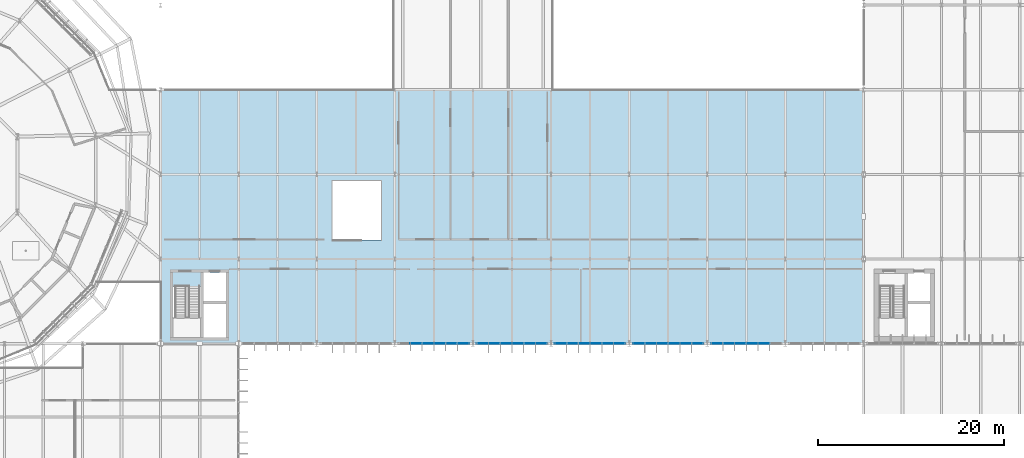
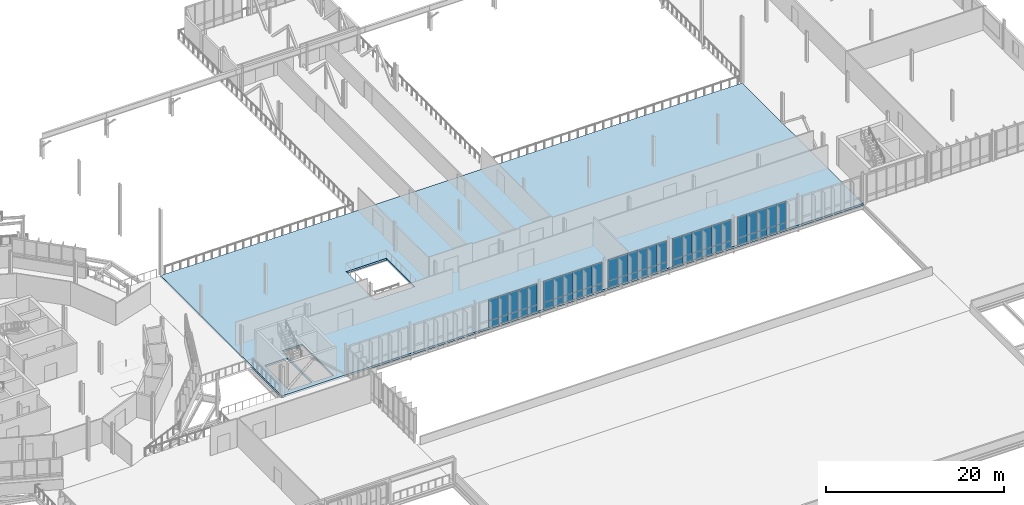
# One storey, part 76 of 107: 56 plates, 1 slab, 5 elements without a shape of their own.
"""IFC4 building model written with IfcOpenShell, lengths in metres."""

import ifcopenshell
import ifcopenshell.guid

model = None  # the IFC model being written
_history = None  # IfcOwnerHistory: only IFC2X3 demands one
_inside = {}  # id of a spatial element -> (the spatial element, [elements in it])
_under = {}  # id of a project, library or spatial element -> (it, [spatial elements below it])
_declared = {}  # id of a project -> (the project, [libraries it declares])
_typed = {}  # id of a type object -> (the type object, [elements of that type])
_made_of = {}  # id of a material, layer set ... -> (it, [elements and type objects made of it])


def new_model(schema):
    """Start an empty IFC model of exactly this schema.

    Asked for "IFC4X3", IfcOpenShell would pick the latest addendum, in which some entities
    have other attributes; the version numbers below select the first issue.
    IFC2X3 requires an IfcOwnerHistory on every rooted entity: one is made here for all.
    """
    global model, _history
    if schema == "IFC4X3":
        model = ifcopenshell.file(schema_version=(4, 3, 0, 0))
    else:
        model = ifcopenshell.file(schema=schema)
    _inside.clear()
    _under.clear()
    _declared.clear()
    _typed.clear()
    _made_of.clear()
    _history = None
    if model.schema == "IFC2X3":
        org = make("IfcOrganization", Name="unknown")
        user = make(
            "IfcPersonAndOrganization",
            ThePerson=make("IfcPerson", FamilyName="unknown"),
            TheOrganization=org,
        )
        app = make(
            "IfcApplication",
            ApplicationDeveloper=org,
            Version="unknown",
            ApplicationFullName="unknown",
            ApplicationIdentifier="unknown",
        )
        _history = make(
            "IfcOwnerHistory",
            OwningUser=user,
            OwningApplication=app,
            ChangeAction="ADDED",
            CreationDate=0,
        )
    return model


def make(cls, **values):
    """One entity of the class cls with the attributes given. An attribute that is None is left unset."""
    return model.create_entity(
        cls, **{name: value for name, value in values.items() if value is not None}
    )


def rooted(cls, **values):
    """An entity with a GlobalId (a new one), such as an element, a storey or a relation."""
    return make(cls, GlobalId=ifcopenshell.guid.new(), OwnerHistory=_history, **values)


def si_unit(unit_type, name, prefix=None):
    """IfcSIUnit, for example si_unit("LENGTHUNIT", "METRE", prefix="MILLI")."""
    return make("IfcSIUnit", UnitType=unit_type, Prefix=prefix, Name=name)


def derived_unit(unit_type, elements):
    """IfcDerivedUnit: a product of units, each with its exponent."""
    return make(
        "IfcDerivedUnit",
        Elements=[
            make("IfcDerivedUnitElement", Unit=unit, Exponent=power)
            for unit, power in elements
        ],
        UnitType=unit_type,
    )


def assignment(units):
    """IfcUnitAssignment: the units of a project."""
    return None if units is None else make("IfcUnitAssignment", Units=units)


def point(xyz):
    """IfcCartesianPoint."""
    return None if xyz is None else make("IfcCartesianPoint", Coordinates=xyz)


def direction(xyz):
    """IfcDirection."""
    return None if xyz is None else make("IfcDirection", DirectionRatios=xyz)


def frame(location, z_axis=None, x_axis=None):
    """IfcAxis2Placement3D, a coordinate frame: its origin and axes. An axis left out is left unset."""
    return make(
        "IfcAxis2Placement3D",
        Location=point(location),
        Axis=direction(z_axis),
        RefDirection=direction(x_axis),
    )


def frame_2d(location, x_axis=None):
    """IfcAxis2Placement2D, a coordinate frame in the plane: its origin and x axis."""
    return make(
        "IfcAxis2Placement2D", Location=point(location), RefDirection=direction(x_axis)
    )


def origin():
    """The frame at (0, 0, 0) with its axes left unset."""
    return frame((0.0, 0.0, 0.0))


def origin_2d():
    """The frame at (0, 0) in the plane with its x axis left unset."""
    return frame_2d((0.0, 0.0))


def place(relative_to, where):
    """IfcLocalPlacement: puts the frame where relative to a parent placement (None: the world)."""
    return make(
        "IfcLocalPlacement", PlacementRelTo=relative_to, RelativePlacement=where
    )


def context(
    kind, dimensions, precision=None, world=None, true_north=None, identifier=None
):
    """IfcGeometricRepresentationContext, for example the 3D "Model" context."""
    return make(
        "IfcGeometricRepresentationContext",
        ContextIdentifier=identifier,
        ContextType=kind,
        CoordinateSpaceDimension=dimensions,
        Precision=precision,
        WorldCoordinateSystem=world,
        TrueNorth=true_north,
    )


def subcontext(parent, identifier, kind, view, scale=None):
    """IfcGeometricRepresentationSubContext, for example "Body" below "Model"."""
    return make(
        "IfcGeometricRepresentationSubContext",
        ContextIdentifier=identifier,
        ContextType=kind,
        ParentContext=parent,
        TargetScale=scale,
        TargetView=view,
    )


def project(units=None, contexts=None):
    """IfcProject with its units and contexts."""
    return rooted(
        "IfcProject",
        Name="project",
        RepresentationContexts=contexts,
        UnitsInContext=assignment(units),
    )


def spatial(cls, under=None, at=None, **own):
    """A site, building, storey or space (cls), placed at a placement, below another one or the project."""
    s = rooted(cls, ObjectPlacement=at, **own)
    if under is not None:
        _under.setdefault(under.id(), (under, []))[1].append(s)
    return s


def polyline(points):
    """IfcPolyline through the points."""
    return make("IfcPolyline", Points=[point(p) for p in points])


def profile(cls, at=None, kind="AREA", **sizes):
    """A parametric profile (cls). Its sizes go by their IFC names, for example OverallWidth=200.0."""
    return make(cls, ProfileType=kind, Position=at, **sizes)


def rectangle(**sizes):
    """IfcRectangleProfileDef."""
    return profile("IfcRectangleProfileDef", **sizes)


def outline(outer, holes=None, kind="AREA"):
    """IfcArbitraryClosedProfileDef: a profile drawn as a closed curve; with holes, ...WithVoids."""
    if holes is None:
        return make("IfcArbitraryClosedProfileDef", ProfileType=kind, OuterCurve=outer)
    return make(
        "IfcArbitraryProfileDefWithVoids",
        ProfileType=kind,
        OuterCurve=outer,
        InnerCurves=holes,
    )


def extrude(swept, where, along, depth):
    """IfcExtrudedAreaSolid: the profile swept, set in the frame where, extruded along a direction by depth."""
    return make(
        "IfcExtrudedAreaSolid",
        SweptArea=swept,
        Position=where,
        ExtrudedDirection=direction(along),
        Depth=depth,
    )


def shape(context_of_items, identifier, shape_type, items):
    """IfcShapeRepresentation: the items that make up one representation, for example the "Body"."""
    return make(
        "IfcShapeRepresentation",
        ContextOfItems=context_of_items,
        RepresentationIdentifier=identifier,
        RepresentationType=shape_type,
        Items=items,
    )


def material(Name=None, Category=None):
    """IfcMaterial."""
    return make("IfcMaterial", Name=Name, Category=Category)


def layer(
    of_material, thickness, ventilated=None, Name=None, Category=None, Priority=None
):
    """IfcMaterialLayer: one layer of a wall or slab, of a material (None: an air gap)."""
    return make(
        "IfcMaterialLayer",
        Material=of_material,
        LayerThickness=thickness,
        IsVentilated=ventilated,
        Name=Name,
        Category=Category,
        Priority=Priority,
    )


def layer_set(layers, Name=None):
    """IfcMaterialLayerSet."""
    return make("IfcMaterialLayerSet", MaterialLayers=layers, LayerSetName=Name)


def made_of(thing, what):
    """Note that an element or type object is made of a material, layer set ...; save() writes the relation."""
    if what is not None:
        _made_of.setdefault(what.id(), (what, []))[1].append(thing)
    return thing


def type_object(cls, material=None, **own):
    """A type object (cls), such as IfcWallType, which elements share."""
    return made_of(rooted(cls, **own), material)


def element(
    cls,
    number,
    at=None,
    inside=None,
    cuts=None,
    type_object=None,
    material=None,
    context=None,
    identifier="Body",
    shape_type=None,
    held_by="IfcProductDefinitionShape",
    body=None,
    shapes=None,
    **own,
):
    """One element of the class cls, such as IfcWall. Its Tag is "e" and its number.

    at: its placement. inside: the storey or other place that contains it. cuts: it is an
    opening in that element (IfcRelVoidsElement). A single representation is given by context,
    identifier, shape_type and body (its items); several are given by shapes. held_by: the class
    of the entity that holds the representations. save() writes the other relations.
    """
    e = rooted(cls, Tag="e%d" % number, ObjectPlacement=at, **own)
    if body is not None:
        shapes = [shape(context, identifier, shape_type, body)]
    if shapes is not None:
        e.Representation = make(held_by, Representations=shapes)
    if inside is not None:
        _inside.setdefault(inside.id(), (inside, []))[1].append(e)
    if cuts is not None:
        rooted(
            "IfcRelVoidsElement", RelatingBuildingElement=cuts, RelatedOpeningElement=e
        )
    if type_object is not None:
        _typed.setdefault(type_object.id(), (type_object, []))[1].append(e)
    return made_of(e, material)


def aggregate(whole, parts):
    """IfcRelAggregates: a whole, such as a stair, and the parts it consists of."""
    return rooted("IfcRelAggregates", RelatingObject=whole, RelatedObjects=parts)


def save(model, path):
    """Write the relations noted so far, then the file.

    IfcRelAggregates (storeys below a building ...), IfcRelContainedInSpatialStructure (elements
    in a storey), IfcRelDefinesByType, IfcRelAssociatesMaterial and IfcRelDeclares: one each for
    every whole, place, type object, material and project.
    """
    for whole, parts in _under.values():
        aggregate(whole, parts)
    for where, things in _inside.values():
        rooted(
            "IfcRelContainedInSpatialStructure",
            RelatedElements=things,
            RelatingStructure=where,
        )
    for kind, things in _typed.values():
        rooted("IfcRelDefinesByType", RelatedObjects=things, RelatingType=kind)
    for what, things in _made_of.values():
        rooted("IfcRelAssociatesMaterial", RelatedObjects=things, RelatingMaterial=what)
    for by, libraries in _declared.values():
        rooted("IfcRelDeclares", RelatingContext=by, RelatedDefinitions=libraries)
    model.write(path)


model = new_model("IFC4")

# Units and contexts
model_context = context("Model", 3, precision=1e-05, world=origin(), true_north=direction((0.0, 1.0)))
body_context = subcontext(model_context, "Body", "Model", "MODEL_VIEW")
ifc_project = project(units=[si_unit("LENGTHUNIT", "METRE"), si_unit("AREAUNIT", "SQUARE_METRE"), si_unit("VOLUMEUNIT", "CUBIC_METRE"), si_unit("PLANEANGLEUNIT", "RADIAN"), si_unit("MASSUNIT", "GRAM", prefix="KILO"), derived_unit("THERMALTRANSMITTANCEUNIT", [(si_unit("MASSUNIT", "GRAM", prefix="KILO"), 1), (si_unit("TIMEUNIT", "SECOND"), -3), (si_unit("THERMODYNAMICTEMPERATUREUNIT", "KELVIN"), -1)])], contexts=[model_context])

# Site, building, storey
site_placement = place(None, origin())
site = spatial("IfcSite", under=ifc_project, at=site_placement, CompositionType="ELEMENT")
building_placement = place(site_placement, origin())
building = spatial("IfcBuilding", under=site, at=building_placement, Name="Makaiwela Harbour Ferry Terminal", CompositionType="ELEMENT")
storey_placement = place(building_placement, frame((0.0, 0.0, 9.60009765625)))
storey = spatial("IfcBuildingStorey", under=building, at=storey_placement, Name="L02", CompositionType="ELEMENT", Elevation=9.60009765625)

# Curtain wall, plates
ifc_material_1 = material(Name="Marine anodised aluminium 6063-T6", Category="aluminium")
ifc_layer_1 = layer(ifc_material_1, 0.199951171875)
ifc_layer_set_1 = layer_set([ifc_layer_1], Name="Marine anodised aluminium 6063-T6")
curtain_wall_type = type_object("IfcCurtainWallType", Name="ENV-CW-09", PredefinedType="USERDEFINED", material=ifc_layer_set_1)
curtain_wall_1_placement = place(storey_placement, origin())
curtain_wall_1 = element("IfcCurtainWall", 1, at=curtain_wall_1_placement, inside=storey, type_object=curtain_wall_type, Name="Unitised Curtain Wall CWA-081", ObjectType="UNITIZED CURTAIN WALL", PredefinedType="USERDEFINED")
ifc_material_2 = material(Name="Laminated hurricane-impact low-E insulated glazing", Category="glass")
ifc_layer_2 = layer(ifc_material_2, 0.031982421875)
ifc_layer_set_2 = layer_set([ifc_layer_2], Name="Laminated hurricane-impact low-E insulated glazing")
plate_type_1 = type_object("IfcPlateType", Name="CW-PNL-G13", PredefinedType="CURTAIN_PANEL", material=ifc_layer_set_2)
plate_1_placement = place(storey_placement, frame((95.550048828125, 49.39990234375, 0.949951171875), z_axis=(0.0, 0.0, 1.0), x_axis=(-1.0, 0.0, 0.0)))
plate_1 = element("IfcPlate", 2, at=plate_1_placement, type_object=plate_type_1, Name="Glazed Vision Panel CWA-081-1G", PredefinedType="CURTAIN_PANEL", context=body_context, shape_type="SweptSolid", body=[
    extrude(rectangle(XDim=1.260009765625, YDim=0.031982421875, at=origin_2d()), origin(), (0.0, 0.0, 1.0), 2.89990234375),
])
plate_2_placement = place(storey_placement, frame((94.2900390625, 49.39990234375, 0.949951171875), z_axis=(0.0, 0.0, 1.0), x_axis=(-1.0, 0.0, 0.0)))
plate_2 = element("IfcPlate", 3, at=plate_2_placement, type_object=plate_type_1, Name="Glazed Vision Panel CWA-081-2G", PredefinedType="CURTAIN_PANEL", context=body_context, shape_type="SweptSolid", body=[
    extrude(rectangle(XDim=1.260009765625, YDim=0.031982421875, at=origin_2d()), origin(), (0.0, 0.0, 1.0), 2.89990234375),
])
plate_3_placement = place(storey_placement, frame((93.030029296875, 49.39990234375, 0.949951171875), z_axis=(0.0, 0.0, 1.0), x_axis=(-1.0, 0.0, 0.0)))
plate_3 = element("IfcPlate", 4, at=plate_3_placement, type_object=plate_type_1, Name="Glazed Vision Panel CWA-081-3G", PredefinedType="CURTAIN_PANEL", context=body_context, shape_type="SweptSolid", body=[
    extrude(rectangle(XDim=1.260009765625, YDim=0.031982421875, at=origin_2d()), origin(), (0.0, 0.0, 1.0), 2.89990234375),
])
plate_4_placement = place(storey_placement, frame((91.77001953125, 49.39990234375, 0.949951171875), z_axis=(0.0, 0.0, 1.0), x_axis=(-1.0, 0.0, 0.0)))
plate_4 = element("IfcPlate", 5, at=plate_4_placement, type_object=plate_type_1, Name="Glazed Vision Panel CWA-081-4G", PredefinedType="CURTAIN_PANEL", context=body_context, shape_type="SweptSolid", body=[
    extrude(rectangle(XDim=1.260009765625, YDim=0.031982421875, at=origin_2d()), origin(), (0.0, 0.0, 1.0), 2.89990234375),
])
plate_5_placement = place(storey_placement, frame((90.510009765625, 49.39990234375, 0.949951171875), z_axis=(0.0, 0.0, 1.0), x_axis=(-1.0, 0.0, 0.0)))
plate_5 = element("IfcPlate", 6, at=plate_5_placement, type_object=plate_type_1, Name="Glazed Vision Panel CWA-081-5G", PredefinedType="CURTAIN_PANEL", context=body_context, shape_type="SweptSolid", body=[
    extrude(rectangle(XDim=1.260009765625, YDim=0.031982421875, at=origin_2d()), origin(), (0.0, 0.0, 1.0), 2.89990234375),
])

curtain_wall_2_placement = place(storey_placement, origin())
curtain_wall_2 = element("IfcCurtainWall", 7, at=curtain_wall_2_placement, inside=storey, type_object=curtain_wall_type, Name="Unitised Curtain Wall CWA-083", ObjectType="UNITIZED CURTAIN WALL", PredefinedType="USERDEFINED")
plate_6_placement = place(storey_placement, frame((103.949951171875, 49.39990234375, 0.949951171875), z_axis=(0.0, 0.0, 1.0), x_axis=(-1.0, 0.0, 0.0)))
plate_6 = element("IfcPlate", 8, at=plate_6_placement, type_object=plate_type_1, Name="Glazed Vision Panel CWA-083-1G", PredefinedType="CURTAIN_PANEL", context=body_context, shape_type="SweptSolid", body=[
    extrude(rectangle(XDim=1.260009765625, YDim=0.031982421875, at=origin_2d()), origin(), (0.0, 0.0, 1.0), 2.89990234375),
])
plate_7_placement = place(storey_placement, frame((102.68994140625, 49.39990234375, 0.949951171875), z_axis=(0.0, 0.0, 1.0), x_axis=(-1.0, 0.0, 0.0)))
plate_7 = element("IfcPlate", 9, at=plate_7_placement, type_object=plate_type_1, Name="Glazed Vision Panel CWA-083-2G", PredefinedType="CURTAIN_PANEL", context=body_context, shape_type="SweptSolid", body=[
    extrude(rectangle(XDim=1.260009765625, YDim=0.031982421875, at=origin_2d()), origin(), (0.0, 0.0, 1.0), 2.89990234375),
])
plate_8_placement = place(storey_placement, frame((101.429931640625, 49.39990234375, 0.949951171875), z_axis=(0.0, 0.0, 1.0), x_axis=(-1.0, 0.0, 0.0)))
plate_8 = element("IfcPlate", 10, at=plate_8_placement, type_object=plate_type_1, Name="Glazed Vision Panel CWA-083-3G", PredefinedType="CURTAIN_PANEL", context=body_context, shape_type="SweptSolid", body=[
    extrude(rectangle(XDim=1.260009765625, YDim=0.031982421875, at=origin_2d()), origin(), (0.0, 0.0, 1.0), 2.89990234375),
])
plate_9_placement = place(storey_placement, frame((100.169921875, 49.39990234375, 0.949951171875), z_axis=(0.0, 0.0, 1.0), x_axis=(-1.0, 0.0, 0.0)))
plate_9 = element("IfcPlate", 11, at=plate_9_placement, type_object=plate_type_1, Name="Glazed Vision Panel CWA-083-4G", PredefinedType="CURTAIN_PANEL", context=body_context, shape_type="SweptSolid", body=[
    extrude(rectangle(XDim=1.260009765625, YDim=0.031982421875, at=origin_2d()), origin(), (0.0, 0.0, 1.0), 2.89990234375),
])
plate_10_placement = place(storey_placement, frame((98.909912109375, 49.39990234375, 0.949951171875), z_axis=(0.0, 0.0, 1.0), x_axis=(-1.0, 0.0, 0.0)))
plate_10 = element("IfcPlate", 12, at=plate_10_placement, type_object=plate_type_1, Name="Glazed Vision Panel CWA-083-5G", PredefinedType="CURTAIN_PANEL", context=body_context, shape_type="SweptSolid", body=[
    extrude(rectangle(XDim=1.260009765625, YDim=0.031982421875, at=origin_2d()), origin(), (0.0, 0.0, 1.0), 2.89990234375),
])
plate_11_placement = place(storey_placement, frame((97.64990234375, 49.39990234375, 0.949951171875), z_axis=(0.0, 0.0, 1.0), x_axis=(-1.0, 0.0, 0.0)))
plate_11 = element("IfcPlate", 13, at=plate_11_placement, type_object=plate_type_1, Name="Glazed Vision Panel CWA-083-6G", PredefinedType="CURTAIN_PANEL", context=body_context, shape_type="SweptSolid", body=[
    extrude(rectangle(XDim=1.260009765625, YDim=0.031982421875, at=origin_2d()), origin(), (0.0, 0.0, 1.0), 2.89990234375),
])

curtain_wall_3_placement = place(storey_placement, origin())
curtain_wall_3 = element("IfcCurtainWall", 14, at=curtain_wall_3_placement, inside=storey, type_object=curtain_wall_type, Name="Unitised Curtain Wall CWA-086", ObjectType="UNITIZED CURTAIN WALL", PredefinedType="USERDEFINED")
plate_12_placement = place(storey_placement, frame((112.35009765625, 49.39990234375, 0.949951171875), z_axis=(0.0, 0.0, 1.0), x_axis=(-1.0, 0.0, 0.0)))
plate_12 = element("IfcPlate", 15, at=plate_12_placement, type_object=plate_type_1, Name="Glazed Vision Panel CWA-086-1G", PredefinedType="CURTAIN_PANEL", context=body_context, shape_type="SweptSolid", body=[
    extrude(rectangle(XDim=1.260009765625, YDim=0.031982421875, at=origin_2d()), origin(), (0.0, 0.0, 1.0), 2.89990234375),
])
plate_13_placement = place(storey_placement, frame((111.090087890625, 49.39990234375, 0.949951171875), z_axis=(0.0, 0.0, 1.0), x_axis=(-1.0, 0.0, 0.0)))
plate_13 = element("IfcPlate", 16, at=plate_13_placement, type_object=plate_type_1, Name="Glazed Vision Panel CWA-086-2G", PredefinedType="CURTAIN_PANEL", context=body_context, shape_type="SweptSolid", body=[
    extrude(rectangle(XDim=1.260009765625, YDim=0.031982421875, at=origin_2d()), origin(), (0.0, 0.0, 1.0), 2.89990234375),
])
plate_14_placement = place(storey_placement, frame((109.830078125, 49.39990234375, 0.949951171875), z_axis=(0.0, 0.0, 1.0), x_axis=(-1.0, 0.0, 0.0)))
plate_14 = element("IfcPlate", 17, at=plate_14_placement, type_object=plate_type_1, Name="Glazed Vision Panel CWA-086-3G", PredefinedType="CURTAIN_PANEL", context=body_context, shape_type="SweptSolid", body=[
    extrude(rectangle(XDim=1.260009765625, YDim=0.031982421875, at=origin_2d()), origin(), (0.0, 0.0, 1.0), 2.89990234375),
])
plate_15_placement = place(storey_placement, frame((108.570068359375, 49.39990234375, 0.949951171875), z_axis=(0.0, 0.0, 1.0), x_axis=(-1.0, 0.0, 0.0)))
plate_15 = element("IfcPlate", 18, at=plate_15_placement, type_object=plate_type_1, Name="Glazed Vision Panel CWA-086-4G", PredefinedType="CURTAIN_PANEL", context=body_context, shape_type="SweptSolid", body=[
    extrude(rectangle(XDim=1.260009765625, YDim=0.031982421875, at=origin_2d()), origin(), (0.0, 0.0, 1.0), 2.89990234375),
])
plate_16_placement = place(storey_placement, frame((107.31005859375, 49.39990234375, 0.949951171875), z_axis=(0.0, 0.0, 1.0), x_axis=(-1.0, 0.0, 0.0)))
plate_16 = element("IfcPlate", 19, at=plate_16_placement, type_object=plate_type_1, Name="Glazed Vision Panel CWA-086-5G", PredefinedType="CURTAIN_PANEL", context=body_context, shape_type="SweptSolid", body=[
    extrude(rectangle(XDim=1.260009765625, YDim=0.031982421875, at=origin_2d()), origin(), (0.0, 0.0, 1.0), 2.89990234375),
])
plate_17_placement = place(storey_placement, frame((106.050048828125, 49.39990234375, 0.949951171875), z_axis=(0.0, 0.0, 1.0), x_axis=(-1.0, 0.0, 0.0)))
plate_17 = element("IfcPlate", 20, at=plate_17_placement, type_object=plate_type_1, Name="Glazed Vision Panel CWA-086-6G", PredefinedType="CURTAIN_PANEL", context=body_context, shape_type="SweptSolid", body=[
    extrude(rectangle(XDim=1.260009765625, YDim=0.031982421875, at=origin_2d()), origin(), (0.0, 0.0, 1.0), 2.89990234375),
])

curtain_wall_4_placement = place(storey_placement, origin())
curtain_wall_4 = element("IfcCurtainWall", 21, at=curtain_wall_4_placement, inside=storey, type_object=curtain_wall_type, Name="Unitised Curtain Wall CWA-089", ObjectType="UNITIZED CURTAIN WALL", PredefinedType="USERDEFINED")
plate_18_placement = place(storey_placement, frame((120.75, 49.39990234375, 0.949951171875), z_axis=(0.0, 0.0, 1.0), x_axis=(-1.0, 0.0, 0.0)))
plate_18 = element("IfcPlate", 22, at=plate_18_placement, type_object=plate_type_1, Name="Glazed Vision Panel CWA-089-1G", PredefinedType="CURTAIN_PANEL", context=body_context, shape_type="SweptSolid", body=[
    extrude(rectangle(XDim=1.260009765625, YDim=0.031982421875, at=origin_2d()), origin(), (0.0, 0.0, 1.0), 2.89990234375),
])
plate_19_placement = place(storey_placement, frame((119.489990234375, 49.39990234375, 0.949951171875), z_axis=(0.0, 0.0, 1.0), x_axis=(-1.0, 0.0, 0.0)))
plate_19 = element("IfcPlate", 23, at=plate_19_placement, type_object=plate_type_1, Name="Glazed Vision Panel CWA-089-2G", PredefinedType="CURTAIN_PANEL", context=body_context, shape_type="SweptSolid", body=[
    extrude(rectangle(XDim=1.260009765625, YDim=0.031982421875, at=origin_2d()), origin(), (0.0, 0.0, 1.0), 2.89990234375),
])
plate_20_placement = place(storey_placement, frame((118.22998046875, 49.39990234375, 0.949951171875), z_axis=(0.0, 0.0, 1.0), x_axis=(-1.0, 0.0, 0.0)))
plate_20 = element("IfcPlate", 24, at=plate_20_placement, type_object=plate_type_1, Name="Glazed Vision Panel CWA-089-3G", PredefinedType="CURTAIN_PANEL", context=body_context, shape_type="SweptSolid", body=[
    extrude(rectangle(XDim=1.260009765625, YDim=0.031982421875, at=origin_2d()), origin(), (0.0, 0.0, 1.0), 2.89990234375),
])
plate_21_placement = place(storey_placement, frame((116.969970703125, 49.39990234375, 0.949951171875), z_axis=(0.0, 0.0, 1.0), x_axis=(-1.0, 0.0, 0.0)))
plate_21 = element("IfcPlate", 25, at=plate_21_placement, type_object=plate_type_1, Name="Glazed Vision Panel CWA-089-4G", PredefinedType="CURTAIN_PANEL", context=body_context, shape_type="SweptSolid", body=[
    extrude(rectangle(XDim=1.260009765625, YDim=0.031982421875, at=origin_2d()), origin(), (0.0, 0.0, 1.0), 2.89990234375),
])
plate_22_placement = place(storey_placement, frame((115.7099609375, 49.39990234375, 0.949951171875), z_axis=(0.0, 0.0, 1.0), x_axis=(-1.0, 0.0, 0.0)))
plate_22 = element("IfcPlate", 26, at=plate_22_placement, type_object=plate_type_1, Name="Glazed Vision Panel CWA-089-5G", PredefinedType="CURTAIN_PANEL", context=body_context, shape_type="SweptSolid", body=[
    extrude(rectangle(XDim=1.260009765625, YDim=0.031982421875, at=origin_2d()), origin(), (0.0, 0.0, 1.0), 2.89990234375),
])
plate_23_placement = place(storey_placement, frame((114.449951171875, 49.39990234375, 0.949951171875), z_axis=(0.0, 0.0, 1.0), x_axis=(-1.0, 0.0, 0.0)))
plate_23 = element("IfcPlate", 27, at=plate_23_placement, type_object=plate_type_1, Name="Glazed Vision Panel CWA-089-6G", PredefinedType="CURTAIN_PANEL", context=body_context, shape_type="SweptSolid", body=[
    extrude(rectangle(XDim=1.260009765625, YDim=0.031982421875, at=origin_2d()), origin(), (0.0, 0.0, 1.0), 2.89990234375),
])

curtain_wall_5_placement = place(storey_placement, origin())
curtain_wall_5 = element("IfcCurtainWall", 28, at=curtain_wall_5_placement, inside=storey, type_object=curtain_wall_type, Name="Unitised Curtain Wall CWA-093", ObjectType="UNITIZED CURTAIN WALL", PredefinedType="USERDEFINED")
plate_24_placement = place(storey_placement, frame((127.889892578125, 49.39990234375, 0.949951171875), z_axis=(0.0, 0.0, 1.0), x_axis=(-1.0, 0.0, 0.0)))
plate_24 = element("IfcPlate", 29, at=plate_24_placement, type_object=plate_type_1, Name="Glazed Vision Panel CWA-093-2G", PredefinedType="CURTAIN_PANEL", context=body_context, shape_type="SweptSolid", body=[
    extrude(rectangle(XDim=1.260009765625, YDim=0.031982421875, at=origin_2d()), origin(), (0.0, 0.0, 1.0), 2.89990234375),
])
plate_25_placement = place(storey_placement, frame((126.6298828125, 49.39990234375, 0.949951171875), z_axis=(0.0, 0.0, 1.0), x_axis=(-1.0, 0.0, 0.0)))
plate_25 = element("IfcPlate", 30, at=plate_25_placement, type_object=plate_type_1, Name="Glazed Vision Panel CWA-093-3G", PredefinedType="CURTAIN_PANEL", context=body_context, shape_type="SweptSolid", body=[
    extrude(rectangle(XDim=1.260009765625, YDim=0.031982421875, at=origin_2d()), origin(), (0.0, 0.0, 1.0), 2.89990234375),
])
plate_26_placement = place(storey_placement, frame((125.3701171875, 49.39990234375, 0.949951171875), z_axis=(0.0, 0.0, 1.0), x_axis=(-1.0, 0.0, 0.0)))
plate_26 = element("IfcPlate", 31, at=plate_26_placement, type_object=plate_type_1, Name="Glazed Vision Panel CWA-093-4G", PredefinedType="CURTAIN_PANEL", context=body_context, shape_type="SweptSolid", body=[
    extrude(rectangle(XDim=1.260009765625, YDim=0.031982421875, at=origin_2d()), origin(), (0.0, 0.0, 1.0), 2.89990234375),
])
plate_27_placement = place(storey_placement, frame((124.110107421875, 49.39990234375, 0.949951171875), z_axis=(0.0, 0.0, 1.0), x_axis=(-1.0, 0.0, 0.0)))
plate_27 = element("IfcPlate", 32, at=plate_27_placement, type_object=plate_type_1, Name="Glazed Vision Panel CWA-093-5G", PredefinedType="CURTAIN_PANEL", context=body_context, shape_type="SweptSolid", body=[
    extrude(rectangle(XDim=1.260009765625, YDim=0.031982421875, at=origin_2d()), origin(), (0.0, 0.0, 1.0), 2.89990234375),
])
plate_28_placement = place(storey_placement, frame((122.85009765625, 49.39990234375, 0.949951171875), z_axis=(0.0, 0.0, 1.0), x_axis=(-1.0, 0.0, 0.0)))
plate_28 = element("IfcPlate", 33, at=plate_28_placement, type_object=plate_type_1, Name="Glazed Vision Panel CWA-093-6G", PredefinedType="CURTAIN_PANEL", context=body_context, shape_type="SweptSolid", body=[
    extrude(rectangle(XDim=1.260009765625, YDim=0.031982421875, at=origin_2d()), origin(), (0.0, 0.0, 1.0), 2.89990234375),
])

# Plate
ifc_material_3 = material(Name="Insulated marine aluminium spandrel panel", Category="aluminium")
ifc_layer_3 = layer(ifc_material_3, 0.048095703125)
ifc_layer_set_3 = layer_set([ifc_layer_3], Name="Insulated marine aluminium spandrel panel")
plate_type_2 = type_object("IfcPlateType", Name="CW-PNL-S11", PredefinedType="CURTAIN_PANEL", material=ifc_layer_set_3)
plate_29_placement = place(storey_placement, frame((95.550048828125, 49.39990234375, 0.0), z_axis=(0.0, 0.0, 1.0), x_axis=(-1.0, 0.0, 0.0)))
plate_29 = element("IfcPlate", 34, at=plate_29_placement, type_object=plate_type_2, Name="Spandrel Panel CWA-081-1S", PredefinedType="CURTAIN_PANEL", context=body_context, shape_type="SweptSolid", body=[
    extrude(rectangle(XDim=1.260009765625, YDim=0.048095703125, at=origin_2d()), origin(), (0.0, 0.0, 1.0), 0.949951171875),
])

plate_30_placement = place(storey_placement, frame((94.2900390625, 49.39990234375, 0.0), z_axis=(0.0, 0.0, 1.0), x_axis=(-1.0, 0.0, 0.0)))
plate_30 = element("IfcPlate", 35, at=plate_30_placement, type_object=plate_type_2, Name="Spandrel Panel CWA-081-2S", PredefinedType="CURTAIN_PANEL", context=body_context, shape_type="SweptSolid", body=[
    extrude(rectangle(XDim=1.260009765625, YDim=0.048095703125, at=origin_2d()), origin(), (0.0, 0.0, 1.0), 0.949951171875),
])

plate_31_placement = place(storey_placement, frame((93.030029296875, 49.39990234375, 0.0), z_axis=(0.0, 0.0, 1.0), x_axis=(-1.0, 0.0, 0.0)))
plate_31 = element("IfcPlate", 36, at=plate_31_placement, type_object=plate_type_2, Name="Spandrel Panel CWA-081-3S", PredefinedType="CURTAIN_PANEL", context=body_context, shape_type="SweptSolid", body=[
    extrude(rectangle(XDim=1.260009765625, YDim=0.048095703125, at=origin_2d()), origin(), (0.0, 0.0, 1.0), 0.949951171875),
])

plate_32_placement = place(storey_placement, frame((91.77001953125, 49.39990234375, 0.0), z_axis=(0.0, 0.0, 1.0), x_axis=(-1.0, 0.0, 0.0)))
plate_32 = element("IfcPlate", 37, at=plate_32_placement, type_object=plate_type_2, Name="Spandrel Panel CWA-081-4S", PredefinedType="CURTAIN_PANEL", context=body_context, shape_type="SweptSolid", body=[
    extrude(rectangle(XDim=1.260009765625, YDim=0.048095703125, at=origin_2d()), origin(), (0.0, 0.0, 1.0), 0.949951171875),
])

plate_33_placement = place(storey_placement, frame((90.510009765625, 49.39990234375, 0.0), z_axis=(0.0, 0.0, 1.0), x_axis=(-1.0, 0.0, 0.0)))
plate_33 = element("IfcPlate", 38, at=plate_33_placement, type_object=plate_type_2, Name="Spandrel Panel CWA-081-5S", PredefinedType="CURTAIN_PANEL", context=body_context, shape_type="SweptSolid", body=[
    extrude(rectangle(XDim=1.260009765625, YDim=0.048095703125, at=origin_2d()), origin(), (0.0, 0.0, 1.0), 0.949951171875),
])

aggregate(curtain_wall_1, [plate_29, plate_1, plate_30, plate_2, plate_31, plate_3, plate_32, plate_4, plate_33, plate_5])

plate_34_placement = place(storey_placement, frame((103.949951171875, 49.39990234375, 0.0), z_axis=(0.0, 0.0, 1.0), x_axis=(-1.0, 0.0, 0.0)))
plate_34 = element("IfcPlate", 39, at=plate_34_placement, type_object=plate_type_2, Name="Spandrel Panel CWA-083-1S", PredefinedType="CURTAIN_PANEL", context=body_context, shape_type="SweptSolid", body=[
    extrude(rectangle(XDim=1.260009765625, YDim=0.048095703125, at=origin_2d()), origin(), (0.0, 0.0, 1.0), 0.949951171875),
])

plate_35_placement = place(storey_placement, frame((102.68994140625, 49.39990234375, 0.0), z_axis=(0.0, 0.0, 1.0), x_axis=(-1.0, 0.0, 0.0)))
plate_35 = element("IfcPlate", 40, at=plate_35_placement, type_object=plate_type_2, Name="Spandrel Panel CWA-083-2S", PredefinedType="CURTAIN_PANEL", context=body_context, shape_type="SweptSolid", body=[
    extrude(rectangle(XDim=1.260009765625, YDim=0.048095703125, at=origin_2d()), origin(), (0.0, 0.0, 1.0), 0.949951171875),
])

plate_36_placement = place(storey_placement, frame((101.429931640625, 49.39990234375, 0.0), z_axis=(0.0, 0.0, 1.0), x_axis=(-1.0, 0.0, 0.0)))
plate_36 = element("IfcPlate", 41, at=plate_36_placement, type_object=plate_type_2, Name="Spandrel Panel CWA-083-3S", PredefinedType="CURTAIN_PANEL", context=body_context, shape_type="SweptSolid", body=[
    extrude(rectangle(XDim=1.260009765625, YDim=0.048095703125, at=origin_2d()), origin(), (0.0, 0.0, 1.0), 0.949951171875),
])

plate_37_placement = place(storey_placement, frame((100.169921875, 49.39990234375, 0.0), z_axis=(0.0, 0.0, 1.0), x_axis=(-1.0, 0.0, 0.0)))
plate_37 = element("IfcPlate", 42, at=plate_37_placement, type_object=plate_type_2, Name="Spandrel Panel CWA-083-4S", PredefinedType="CURTAIN_PANEL", context=body_context, shape_type="SweptSolid", body=[
    extrude(rectangle(XDim=1.260009765625, YDim=0.048095703125, at=origin_2d()), origin(), (0.0, 0.0, 1.0), 0.949951171875),
])

plate_38_placement = place(storey_placement, frame((98.909912109375, 49.39990234375, 0.0), z_axis=(0.0, 0.0, 1.0), x_axis=(-1.0, 0.0, 0.0)))
plate_38 = element("IfcPlate", 43, at=plate_38_placement, type_object=plate_type_2, Name="Spandrel Panel CWA-083-5S", PredefinedType="CURTAIN_PANEL", context=body_context, shape_type="SweptSolid", body=[
    extrude(rectangle(XDim=1.260009765625, YDim=0.048095703125, at=origin_2d()), origin(), (0.0, 0.0, 1.0), 0.949951171875),
])

plate_39_placement = place(storey_placement, frame((97.64990234375, 49.39990234375, 0.0), z_axis=(0.0, 0.0, 1.0), x_axis=(-1.0, 0.0, 0.0)))
plate_39 = element("IfcPlate", 44, at=plate_39_placement, type_object=plate_type_2, Name="Spandrel Panel CWA-083-6S", PredefinedType="CURTAIN_PANEL", context=body_context, shape_type="SweptSolid", body=[
    extrude(rectangle(XDim=1.260009765625, YDim=0.048095703125, at=origin_2d()), origin(), (0.0, 0.0, 1.0), 0.949951171875),
])

aggregate(curtain_wall_2, [plate_34, plate_6, plate_35, plate_7, plate_36, plate_8, plate_37, plate_9, plate_38, plate_10, plate_39, plate_11])

plate_40_placement = place(storey_placement, frame((112.35009765625, 49.39990234375, 0.0), z_axis=(0.0, 0.0, 1.0), x_axis=(-1.0, 0.0, 0.0)))
plate_40 = element("IfcPlate", 45, at=plate_40_placement, type_object=plate_type_2, Name="Spandrel Panel CWA-086-1S", PredefinedType="CURTAIN_PANEL", context=body_context, shape_type="SweptSolid", body=[
    extrude(rectangle(XDim=1.260009765625, YDim=0.048095703125, at=origin_2d()), origin(), (0.0, 0.0, 1.0), 0.949951171875),
])

plate_41_placement = place(storey_placement, frame((111.090087890625, 49.39990234375, 0.0), z_axis=(0.0, 0.0, 1.0), x_axis=(-1.0, 0.0, 0.0)))
plate_41 = element("IfcPlate", 46, at=plate_41_placement, type_object=plate_type_2, Name="Spandrel Panel CWA-086-2S", PredefinedType="CURTAIN_PANEL", context=body_context, shape_type="SweptSolid", body=[
    extrude(rectangle(XDim=1.260009765625, YDim=0.048095703125, at=origin_2d()), origin(), (0.0, 0.0, 1.0), 0.949951171875),
])

plate_42_placement = place(storey_placement, frame((109.830078125, 49.39990234375, 0.0), z_axis=(0.0, 0.0, 1.0), x_axis=(-1.0, 0.0, 0.0)))
plate_42 = element("IfcPlate", 47, at=plate_42_placement, type_object=plate_type_2, Name="Spandrel Panel CWA-086-3S", PredefinedType="CURTAIN_PANEL", context=body_context, shape_type="SweptSolid", body=[
    extrude(rectangle(XDim=1.260009765625, YDim=0.048095703125, at=origin_2d()), origin(), (0.0, 0.0, 1.0), 0.949951171875),
])

plate_43_placement = place(storey_placement, frame((108.570068359375, 49.39990234375, 0.0), z_axis=(0.0, 0.0, 1.0), x_axis=(-1.0, 0.0, 0.0)))
plate_43 = element("IfcPlate", 48, at=plate_43_placement, type_object=plate_type_2, Name="Spandrel Panel CWA-086-4S", PredefinedType="CURTAIN_PANEL", context=body_context, shape_type="SweptSolid", body=[
    extrude(rectangle(XDim=1.260009765625, YDim=0.048095703125, at=origin_2d()), origin(), (0.0, 0.0, 1.0), 0.949951171875),
])

plate_44_placement = place(storey_placement, frame((107.31005859375, 49.39990234375, 0.0), z_axis=(0.0, 0.0, 1.0), x_axis=(-1.0, 0.0, 0.0)))
plate_44 = element("IfcPlate", 49, at=plate_44_placement, type_object=plate_type_2, Name="Spandrel Panel CWA-086-5S", PredefinedType="CURTAIN_PANEL", context=body_context, shape_type="SweptSolid", body=[
    extrude(rectangle(XDim=1.260009765625, YDim=0.048095703125, at=origin_2d()), origin(), (0.0, 0.0, 1.0), 0.949951171875),
])

plate_45_placement = place(storey_placement, frame((106.050048828125, 49.39990234375, 0.0), z_axis=(0.0, 0.0, 1.0), x_axis=(-1.0, 0.0, 0.0)))
plate_45 = element("IfcPlate", 50, at=plate_45_placement, type_object=plate_type_2, Name="Spandrel Panel CWA-086-6S", PredefinedType="CURTAIN_PANEL", context=body_context, shape_type="SweptSolid", body=[
    extrude(rectangle(XDim=1.260009765625, YDim=0.048095703125, at=origin_2d()), origin(), (0.0, 0.0, 1.0), 0.949951171875),
])

aggregate(curtain_wall_3, [plate_40, plate_12, plate_41, plate_13, plate_42, plate_14, plate_43, plate_15, plate_44, plate_16, plate_45, plate_17])

plate_46_placement = place(storey_placement, frame((120.75, 49.39990234375, 0.0), z_axis=(0.0, 0.0, 1.0), x_axis=(-1.0, 0.0, 0.0)))
plate_46 = element("IfcPlate", 51, at=plate_46_placement, type_object=plate_type_2, Name="Spandrel Panel CWA-089-1S", PredefinedType="CURTAIN_PANEL", context=body_context, shape_type="SweptSolid", body=[
    extrude(rectangle(XDim=1.260009765625, YDim=0.048095703125, at=origin_2d()), origin(), (0.0, 0.0, 1.0), 0.949951171875),
])

plate_47_placement = place(storey_placement, frame((119.489990234375, 49.39990234375, 0.0), z_axis=(0.0, 0.0, 1.0), x_axis=(-1.0, 0.0, 0.0)))
plate_47 = element("IfcPlate", 52, at=plate_47_placement, type_object=plate_type_2, Name="Spandrel Panel CWA-089-2S", PredefinedType="CURTAIN_PANEL", context=body_context, shape_type="SweptSolid", body=[
    extrude(rectangle(XDim=1.260009765625, YDim=0.048095703125, at=origin_2d()), origin(), (0.0, 0.0, 1.0), 0.949951171875),
])

plate_48_placement = place(storey_placement, frame((118.22998046875, 49.39990234375, 0.0), z_axis=(0.0, 0.0, 1.0), x_axis=(-1.0, 0.0, 0.0)))
plate_48 = element("IfcPlate", 53, at=plate_48_placement, type_object=plate_type_2, Name="Spandrel Panel CWA-089-3S", PredefinedType="CURTAIN_PANEL", context=body_context, shape_type="SweptSolid", body=[
    extrude(rectangle(XDim=1.260009765625, YDim=0.048095703125, at=origin_2d()), origin(), (0.0, 0.0, 1.0), 0.949951171875),
])

plate_49_placement = place(storey_placement, frame((116.969970703125, 49.39990234375, 0.0), z_axis=(0.0, 0.0, 1.0), x_axis=(-1.0, 0.0, 0.0)))
plate_49 = element("IfcPlate", 54, at=plate_49_placement, type_object=plate_type_2, Name="Spandrel Panel CWA-089-4S", PredefinedType="CURTAIN_PANEL", context=body_context, shape_type="SweptSolid", body=[
    extrude(rectangle(XDim=1.260009765625, YDim=0.048095703125, at=origin_2d()), origin(), (0.0, 0.0, 1.0), 0.949951171875),
])

plate_50_placement = place(storey_placement, frame((115.7099609375, 49.39990234375, 0.0), z_axis=(0.0, 0.0, 1.0), x_axis=(-1.0, 0.0, 0.0)))
plate_50 = element("IfcPlate", 55, at=plate_50_placement, type_object=plate_type_2, Name="Spandrel Panel CWA-089-5S", PredefinedType="CURTAIN_PANEL", context=body_context, shape_type="SweptSolid", body=[
    extrude(rectangle(XDim=1.260009765625, YDim=0.048095703125, at=origin_2d()), origin(), (0.0, 0.0, 1.0), 0.949951171875),
])

plate_51_placement = place(storey_placement, frame((114.449951171875, 49.39990234375, 0.0), z_axis=(0.0, 0.0, 1.0), x_axis=(-1.0, 0.0, 0.0)))
plate_51 = element("IfcPlate", 56, at=plate_51_placement, type_object=plate_type_2, Name="Spandrel Panel CWA-089-6S", PredefinedType="CURTAIN_PANEL", context=body_context, shape_type="SweptSolid", body=[
    extrude(rectangle(XDim=1.260009765625, YDim=0.048095703125, at=origin_2d()), origin(), (0.0, 0.0, 1.0), 0.949951171875),
])

aggregate(curtain_wall_4, [plate_46, plate_18, plate_47, plate_19, plate_48, plate_20, plate_49, plate_21, plate_50, plate_22, plate_51, plate_23])

plate_52_placement = place(storey_placement, frame((127.889892578125, 49.39990234375, 0.0), z_axis=(0.0, 0.0, 1.0), x_axis=(-1.0, 0.0, 0.0)))
plate_52 = element("IfcPlate", 57, at=plate_52_placement, type_object=plate_type_2, Name="Spandrel Panel CWA-093-2S", PredefinedType="CURTAIN_PANEL", context=body_context, shape_type="SweptSolid", body=[
    extrude(rectangle(XDim=1.260009765625, YDim=0.048095703125, at=origin_2d()), origin(), (0.0, 0.0, 1.0), 0.949951171875),
])

plate_53_placement = place(storey_placement, frame((126.6298828125, 49.39990234375, 0.0), z_axis=(0.0, 0.0, 1.0), x_axis=(-1.0, 0.0, 0.0)))
plate_53 = element("IfcPlate", 58, at=plate_53_placement, type_object=plate_type_2, Name="Spandrel Panel CWA-093-3S", PredefinedType="CURTAIN_PANEL", context=body_context, shape_type="SweptSolid", body=[
    extrude(rectangle(XDim=1.260009765625, YDim=0.048095703125, at=origin_2d()), origin(), (0.0, 0.0, 1.0), 0.949951171875),
])

plate_54_placement = place(storey_placement, frame((125.3701171875, 49.39990234375, 0.0), z_axis=(0.0, 0.0, 1.0), x_axis=(-1.0, 0.0, 0.0)))
plate_54 = element("IfcPlate", 59, at=plate_54_placement, type_object=plate_type_2, Name="Spandrel Panel CWA-093-4S", PredefinedType="CURTAIN_PANEL", context=body_context, shape_type="SweptSolid", body=[
    extrude(rectangle(XDim=1.260009765625, YDim=0.048095703125, at=origin_2d()), origin(), (0.0, 0.0, 1.0), 0.949951171875),
])

plate_55_placement = place(storey_placement, frame((124.110107421875, 49.39990234375, 0.0), z_axis=(0.0, 0.0, 1.0), x_axis=(-1.0, 0.0, 0.0)))
plate_55 = element("IfcPlate", 60, at=plate_55_placement, type_object=plate_type_2, Name="Spandrel Panel CWA-093-5S", PredefinedType="CURTAIN_PANEL", context=body_context, shape_type="SweptSolid", body=[
    extrude(rectangle(XDim=1.260009765625, YDim=0.048095703125, at=origin_2d()), origin(), (0.0, 0.0, 1.0), 0.949951171875),
])

plate_56_placement = place(storey_placement, frame((122.85009765625, 49.39990234375, 0.0), z_axis=(0.0, 0.0, 1.0), x_axis=(-1.0, 0.0, 0.0)))
plate_56 = element("IfcPlate", 61, at=plate_56_placement, type_object=plate_type_2, Name="Spandrel Panel CWA-093-6S", PredefinedType="CURTAIN_PANEL", context=body_context, shape_type="SweptSolid", body=[
    extrude(rectangle(XDim=1.260009765625, YDim=0.048095703125, at=origin_2d()), origin(), (0.0, 0.0, 1.0), 0.949951171875),
])

aggregate(curtain_wall_5, [plate_52, plate_24, plate_53, plate_25, plate_54, plate_26, plate_55, plate_27, plate_56, plate_28])

# Slab
ifc_material_4 = material(Name="Concrete f'c 35 MPa (5000 psi)", Category="concrete")
ifc_layer_4 = layer(ifc_material_4, 0.260009765625)
ifc_layer_set_4 = layer_set([ifc_layer_4], Name="Concrete f'c 35 MPa (5000 psi)")
slab_type = type_object("IfcSlabType", Name="SLB-FLR-260", PredefinedType="FLOOR", material=ifc_layer_set_4)
slab_placement = place(storey_placement, frame((0.0, 0.0, -0.260009765625)))
element("IfcSlab", 62, at=slab_placement, inside=storey, type_object=slab_type, Name="Slab SLB-031", PredefinedType="FLOOR", context=body_context, shape_type="SweptSolid", body=[
    extrude(outline(polyline([(63.001953125, 76.699951171875), (63.0, 55.998046875), (63.0, 49.402099609375), (71.402099609375, 49.39990234375), (138.60009765625, 49.39990234375), (138.60009765625, 76.699951171875), (63.001953125, 76.699951171875)]), holes=[polyline([(64.330078125, 50.030029296875), (64.330078125, 55.56005859375), (67.31005859375, 55.56005859375), (67.31005859375, 50.030029296875), (64.330078125, 50.030029296875)]), polyline([(67.52001953125, 50.030029296875), (67.52001953125, 57.070068359375), (70.070068359375, 57.070068359375), (70.070068359375, 50.030029296875), (67.52001953125, 50.030029296875)]), polyline([(81.47998046875, 60.52001953125), (81.47998046875, 66.919921875), (86.719970703125, 66.919921875), (86.719970703125, 60.52001953125), (81.47998046875, 60.52001953125)])]), origin(), (0.0, 0.0, 1.0), 0.260009765625),
])

save(model, "model.ifc")
